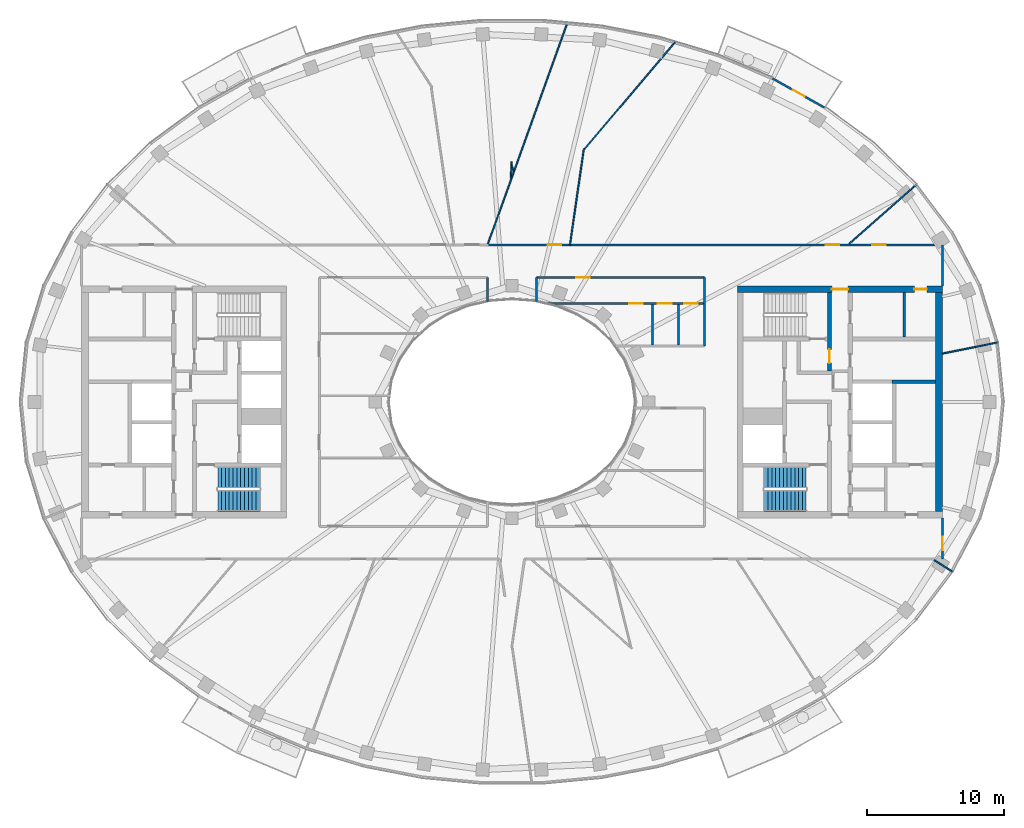
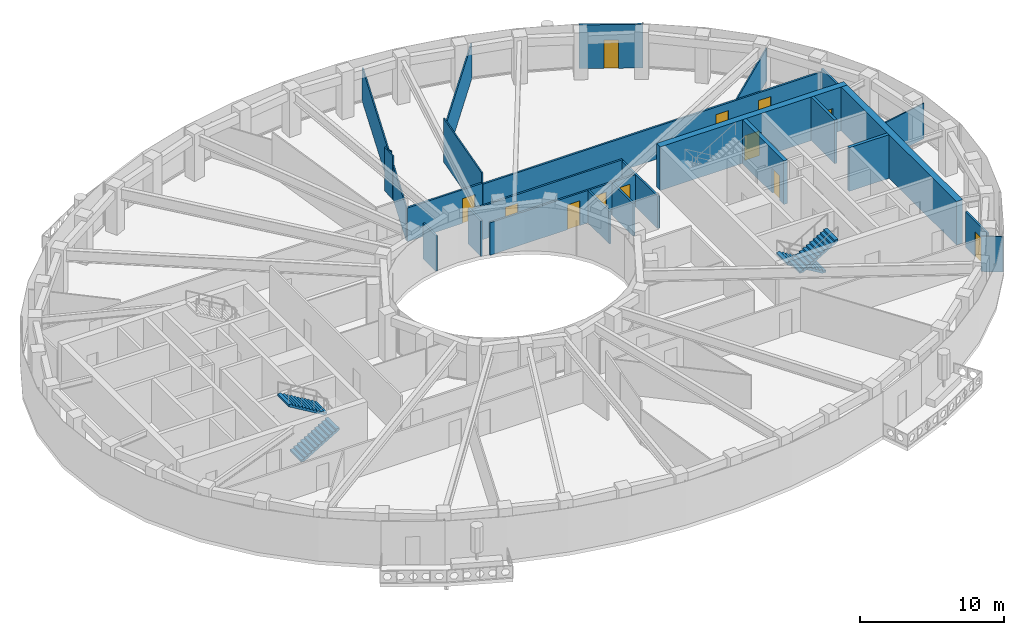
# One storey, part 6 of 15: 25 walls, 12 doors, 4 stair flights, 12 openings, 2 elements without a shape of their own.
"""IFC4 building model written with IfcOpenShell, lengths in metres."""

from ifc_helpers import new_model, si_unit, direction, frame, frame_2d, origin, place, context, subcontext, project, spatial, polyline, rectangle, outline, extrude, material, layer, layer_set, type_object, element, fill, aggregate, save


model = new_model("IFC4")

# Units and contexts
model_context = context("Model", 3, precision=1e-05, world=origin(), true_north=direction((0.0, 1.0)))
body_context = subcontext(model_context, "Body", "Model", "MODEL_VIEW")
ifc_project = project(units=[si_unit("LENGTHUNIT", "METRE"), si_unit("AREAUNIT", "SQUARE_METRE"), si_unit("VOLUMEUNIT", "CUBIC_METRE"), si_unit("PLANEANGLEUNIT", "RADIAN"), si_unit("MASSUNIT", "GRAM", prefix="KILO")], contexts=[model_context])

# Site, building, storey
site_placement = place(None, origin())
site = spatial("IfcSite", under=ifc_project, at=site_placement, CompositionType="ELEMENT")
building_placement = place(site_placement, origin())
building = spatial("IfcBuilding", under=site, at=building_placement, Name="Noorbagh Ring Tower", CompositionType="ELEMENT")
storey_placement = place(building_placement, frame((0.0, 0.0, 295.0)))
storey = spatial("IfcBuildingStorey", under=building, at=storey_placement, Name="L63", CompositionType="ELEMENT", Elevation=295.0)

# Walls
ifc_material_1 = material(Name="Gypsum board on steel studs", Category="steel")
ifc_layer_1 = layer(ifc_material_1, 0.199951171875)
ifc_layer_set_1 = layer_set([ifc_layer_1], Name="Gypsum board on steel studs")
wall_type_1 = type_object("IfcWallType", Name="CORE-PARTITION-200", PredefinedType="PARTITIONING", material=ifc_layer_set_1)
wall_1_placement = place(storey_placement, frame((28.699951171875, 4.75, 0.0), z_axis=(0.0, 0.0, 1.0), x_axis=(0.0, 1.0, 0.0)))
element("IfcWall", 1, at=wall_1_placement, inside=storey, type_object=wall_type_1, Name="Core partition E", PredefinedType="PARTITIONING", context=body_context, shape_type="SweptSolid", body=[
    extrude(rectangle(XDim=3.25, YDim=0.199951171875, at=frame_2d((1.625, 0.0))), origin(), (0.0, 0.0, 1.0), 3.699951171875),
])
ifc_material_2 = material(Name="Concrete C50/60", Category="concrete")
ifc_layer_2 = layer(ifc_material_2, 0.25)
ifc_layer_set_2 = layer_set([ifc_layer_2], Name="Concrete C50/60")
wall_type_2 = type_object("IfcWallType", Name="CORE-WALL-250-C50-60-EI120", PredefinedType="SHEAR", material=ifc_layer_set_2)
wall_2_placement = place(storey_placement, frame((27.800048828125, 1.47509765625, 0.0), z_axis=(0.0, 0.0, 1.0), x_axis=(1.0, 0.0, 0.0)))
element("IfcWall", 2, at=wall_2_placement, inside=storey, type_object=wall_type_2, Name="Core wall E", PredefinedType="SHEAR", context=body_context, shape_type="SweptSolid", body=[
    extrude(rectangle(XDim=3.199951171875, YDim=0.25, at=frame_2d((1.60009765625, 0.0))), origin(), (0.0, 0.0, 1.0), 3.699951171875),
])

# Wall, opening, door
ifc_material_3 = material(Name="Concrete C50/60", Category="concrete")
ifc_layer_3 = layer(ifc_material_3, 0.300048828125)
ifc_layer_set_3 = layer_set([ifc_layer_3], Name="Concrete C50/60")
wall_type_3 = type_object("IfcWallType", Name="CORE-WALL-300-C50-60-EI240", PredefinedType="SHEAR", material=ifc_layer_set_3)
wall_3_placement = place(storey_placement, frame((23.22998046875, 2.25, 0.0), z_axis=(0.0, 0.0, 1.0), x_axis=(0.0, 1.0, 0.0)))
wall_3 = element("IfcWall", 3, at=wall_3_placement, inside=storey, type_object=wall_type_3, Name="Core wall E", PredefinedType="SHEAR", context=body_context, shape_type="SweptSolid", body=[
    extrude(rectangle(XDim=5.75, YDim=0.300048828125, at=frame_2d((2.875, 0.0))), origin(), (0.0, 0.0, 1.0), 3.699951171875),
])
opening_1_placement = place(wall_3_placement, frame((0.60009765625, 0.0, 0.0)))
opening_1 = element("IfcOpeningElement", 4, at=opening_1_placement, cuts=wall_3, Name="Opening L63-CE07", PredefinedType="OPENING", context=body_context, shape_type="SweptSolid", body=[
    extrude(rectangle(XDim=1.0, YDim=2.10009765625, at=frame_2d((0.5, 1.050048828125))), frame((0.0, 0.16015625, 0.0), z_axis=(0.0, -1.0, 0.0), x_axis=(1.0, 0.0, 0.0)), (0.0, 0.0, 1.0), 0.320068359375),
])
ifc_material_4 = material(Name="Steel door leaf", Category="steel")
door_type_1 = type_object("IfcDoorType", Name="CORE-DOOR-DVEST", OperationType="SINGLE_SWING_LEFT", PredefinedType="DOOR", material=ifc_material_4)
door_1_placement = place(opening_1_placement, origin())
door_1 = element("IfcDoor", 5, at=door_1_placement, inside=storey, type_object=door_type_1, Name="Stair vestibule door L63-CE07", OperationType="SINGLE_SWING_RIGHT", OverallHeight=2.10009765625, OverallWidth=1.0, PredefinedType="DOOR", context=body_context, shape_type="SweptSolid", body=[
    extrude(rectangle(XDim=1.0, YDim=2.10009765625, at=frame_2d((0.5, 1.050048828125))), frame((0.0, 0.02490234375, 0.0), z_axis=(0.0, -1.0, 0.0), x_axis=(1.0, 0.0, 0.0)), (0.0, 0.0, 1.0), 0.050048828125),
])
fill(opening_1, door_1)

# Wall, openings, doors
ifc_material_5 = material(Name="Concrete C50/60", Category="concrete")
ifc_layer_4 = layer(ifc_material_5, 0.5)
ifc_layer_set_4 = layer_set([ifc_layer_4], Name="Concrete C50/60")
wall_type_4 = type_object("IfcWallType", Name="CORE-WALL-500-C50-60-EI240", PredefinedType="SHEAR", material=ifc_layer_set_4)
wall_4_placement = place(storey_placement, frame((16.5, 8.25, 0.0), z_axis=(0.0, 0.0, 1.0), x_axis=(1.0, 0.0, 0.0)))
wall_4 = element("IfcWall", 6, at=wall_4_placement, inside=storey, type_object=wall_type_4, Name="Core wall E", PredefinedType="SHEAR", context=body_context, shape_type="SweptSolid", body=[
    extrude(rectangle(XDim=15.0, YDim=0.5, at=frame_2d((7.5, 0.0))), origin(), (0.0, 0.0, 1.0), 3.699951171875),
])
opening_2_placement = place(wall_4_placement, frame((6.89990234375, 0.0, 0.0)))
opening_2 = element("IfcOpeningElement", 7, at=opening_2_placement, cuts=wall_4, Name="Opening L63-CE08", PredefinedType="OPENING", context=body_context, shape_type="SweptSolid", body=[
    extrude(rectangle(XDim=1.199951171875, YDim=2.10009765625, at=frame_2d((0.60009765625, 1.050048828125))), frame((0.0, 0.260009765625, 0.0), z_axis=(0.0, -1.0, 0.0), x_axis=(1.0, 0.0, 0.0)), (0.0, 0.0, 1.0), 0.52001953125),
])
opening_3_placement = place(wall_4_placement, frame((12.949951171875, 0.0, 0.0)))
opening_3 = element("IfcOpeningElement", 8, at=opening_3_placement, cuts=wall_4, Name="Opening L63-CE13", PredefinedType="OPENING", context=body_context, shape_type="SweptSolid", body=[
    extrude(rectangle(XDim=0.89990234375, YDim=2.10009765625, at=frame_2d((0.449951171875, 1.050048828125))), frame((0.0, 0.260009765625, 0.0), z_axis=(0.0, -1.0, 0.0), x_axis=(1.0, 0.0, 0.0)), (0.0, 0.0, 1.0), 0.52001953125),
])
ifc_material_6 = material(Name="Steel door leaf", Category="steel")
door_type_2 = type_object("IfcDoorType", Name="CORE-DOOR-DROOM", OperationType="SINGLE_SWING_LEFT", PredefinedType="DOOR", material=ifc_material_6)
door_2_placement = place(opening_3_placement, origin())
door_2 = element("IfcDoor", 9, at=door_2_placement, inside=storey, type_object=door_type_2, Name="Core room door L63-CE13", OperationType="SINGLE_SWING_LEFT", OverallHeight=2.10009765625, OverallWidth=0.89990234375, PredefinedType="DOOR", context=body_context, shape_type="SweptSolid", body=[
    extrude(rectangle(XDim=0.89990234375, YDim=2.10009765625, at=frame_2d((0.449951171875, 1.050048828125))), frame((0.0, 0.02490234375, 0.0), z_axis=(0.0, -1.0, 0.0), x_axis=(1.0, 0.0, 0.0)), (0.0, 0.0, 1.0), 0.050048828125),
])
fill(opening_3, door_2)
ifc_material_7 = material(Name="Steel door leaf", Category="steel")
door_type_3 = type_object("IfcDoorType", Name="CORE-DOOR-PORT", OperationType="DOUBLE_DOOR_DOUBLE_SWING", PredefinedType="DOOR", material=ifc_material_7)
door_3_placement = place(opening_2_placement, origin())
door_3 = element("IfcDoor", 10, at=door_3_placement, inside=storey, type_object=door_type_3, Name="Core entrance door L63-CE08", OperationType="DOUBLE_DOOR_DOUBLE_SWING", OverallHeight=2.10009765625, OverallWidth=1.199951171875, PredefinedType="DOOR", context=body_context, shape_type="SweptSolid", body=[
    extrude(rectangle(XDim=1.199951171875, YDim=2.10009765625, at=frame_2d((0.60009765625, 1.050048828125))), frame((0.0, 0.02490234375, 0.0), z_axis=(0.0, -1.0, 0.0), x_axis=(1.0, 0.0, 0.0)), (0.0, 0.0, 1.0), 0.050048828125),
])
fill(opening_2, door_3)

# Walls
wall_5_placement = place(storey_placement, frame((31.25, -8.0, 0.0), z_axis=(0.0, 0.0, 1.0), x_axis=(0.0, 1.0, 0.0)))
element("IfcWall", 11, at=wall_5_placement, inside=storey, type_object=wall_type_4, Name="Core wall E", PredefinedType="SHEAR", context=body_context, shape_type="SweptSolid", body=[
    extrude(rectangle(XDim=16.0, YDim=0.5, at=frame_2d((8.0, 0.0))), origin(), (0.0, 0.0, 1.0), 3.699951171875),
])
ifc_material_8 = material(Name="Gypsum board on steel studs", Category="steel")
ifc_layer_5 = layer(ifc_material_8, 0.14990234375)
ifc_layer_set_5 = layer_set([ifc_layer_5], Name="Gypsum board on steel studs")
wall_type_5 = type_object("IfcWallType", Name="CORRIDOR PARTITION 150 EI 30", PredefinedType="PARTITIONING", material=ifc_layer_set_5)
wall_6_placement = place(storey_placement, frame((-1.800048828125, 7.3359375, 0.0), z_axis=(0.0, 0.0, 1.0), x_axis=(0.0, 1.0, 0.0)))
element("IfcWall", 12, at=wall_6_placement, inside=storey, type_object=wall_type_5, Name="L63/wall/P20", PredefinedType="PARTITIONING", context=body_context, shape_type="SweptSolid", body=[
    extrude(rectangle(XDim=1.76416015625, YDim=0.14990234375, at=frame_2d((0.882080078125, 0.0))), origin(), (0.0, 0.0, 1.0), 3.0),
])

# Wall, opening, door
wall_7_placement = place(storey_placement, frame((-1.77392578125, 11.5, 0.0), z_axis=(0.0, 0.0, 1.0), x_axis=(1.0, 0.0, 0.0)))
wall_7 = element("IfcWall", 13, at=wall_7_placement, inside=storey, type_object=wall_type_5, Name="L63/wall/P22", PredefinedType="PARTITIONING", context=body_context, shape_type="SweptSolid", body=[
    extrude(rectangle(XDim=6.015869140625, YDim=0.14990234375, at=frame_2d((3.0078125, 0.0))), origin(), (0.0, 0.0, 1.0), 2.85009765625),
])
opening_4_placement = place(wall_7_placement, frame((4.385986328125, 0.0, 0.0)))
opening_4 = element("IfcOpeningElement", 14, at=opening_4_placement, cuts=wall_7, Name="Opening D1", PredefinedType="OPENING", context=body_context, shape_type="SweptSolid", body=[
    extrude(rectangle(XDim=1.0, YDim=2.10009765625, at=frame_2d((0.5, 1.050048828125))), frame((0.0, 0.0849609375, 0.0), z_axis=(0.0, -1.0, 0.0), x_axis=(1.0, 0.0, 0.0)), (0.0, 0.0, 1.0), 0.169921875),
])
ifc_material_9 = material(Name="Timber, painted", Category="wood")
door_type_4 = type_object("IfcDoorType", Name="DOOR 1000 X 2100 FD30", OperationType="SINGLE_SWING_LEFT", PredefinedType="DOOR", material=ifc_material_9)
door_4_placement = place(opening_4_placement, origin())
door_4 = element("IfcDoor", 15, at=door_4_placement, inside=storey, type_object=door_type_4, Name="L63-D11", OperationType="SINGLE_SWING_LEFT", OverallHeight=2.10009765625, OverallWidth=1.0, PredefinedType="DOOR", context=body_context, shape_type="SweptSolid", body=[
    extrude(rectangle(XDim=1.0, YDim=2.10009765625, at=frame_2d((0.5, 1.050048828125))), frame((0.0, 0.02490234375, 0.0), z_axis=(0.0, -1.0, 0.0), x_axis=(1.0, 0.0, 0.0)), (0.0, 0.0, 1.0), 0.050048828125),
])
fill(opening_4, door_4)

# Wall
wall_8_placement = place(storey_placement, frame((1.800048828125, 7.3359375, 0.0), z_axis=(0.0, 0.0, 1.0), x_axis=(0.0, 1.0, 0.0)))
element("IfcWall", 16, at=wall_8_placement, inside=storey, type_object=wall_type_5, Name="L63/wall/P33", PredefinedType="PARTITIONING", context=body_context, shape_type="SweptSolid", body=[
    extrude(rectangle(XDim=1.76416015625, YDim=0.14990234375, at=frame_2d((0.882080078125, 0.0))), origin(), (0.0, 0.0, 1.0), 3.0),
])

# Wall, opening, door
wall_9_placement = place(storey_placement, frame((1.800048828125, 9.10009765625, 0.0), z_axis=(0.0, 0.0, 1.0), x_axis=(1.0, 0.0, 0.0)))
wall_9 = element("IfcWall", 17, at=wall_9_placement, inside=storey, type_object=wall_type_5, Name="L63/wall/P34", PredefinedType="PARTITIONING", context=body_context, shape_type="SweptSolid", body=[
    extrude(rectangle(XDim=12.300048828125, YDim=0.14990234375, at=frame_2d((6.14990234375, 0.0))), origin(), (0.0, 0.0, 1.0), 2.85009765625),
])
opening_5_placement = place(wall_9_placement, frame((2.89990234375, 0.0, 0.0)))
opening_5 = element("IfcOpeningElement", 18, at=opening_5_placement, cuts=wall_9, Name="Opening D1", PredefinedType="OPENING", context=body_context, shape_type="SweptSolid", body=[
    extrude(rectangle(XDim=1.0, YDim=2.10009765625, at=frame_2d((0.5, 1.050048828125))), frame((0.0, 0.0849609375, 0.0), z_axis=(0.0, -1.0, 0.0), x_axis=(1.0, 0.0, 0.0)), (0.0, 0.0, 1.0), 0.169921875),
])
door_5_placement = place(opening_5_placement, origin())
door_5 = element("IfcDoor", 19, at=door_5_placement, inside=storey, type_object=door_type_4, Name="L63-D01", OperationType="SINGLE_SWING_LEFT", OverallHeight=2.10009765625, OverallWidth=1.0, PredefinedType="DOOR", context=body_context, shape_type="SweptSolid", body=[
    extrude(rectangle(XDim=1.0, YDim=2.10009765625, at=frame_2d((0.5, 1.050048828125))), frame((0.0, 0.02490234375, 0.0), z_axis=(0.0, -1.0, 0.0), x_axis=(1.0, 0.0, 0.0)), (0.0, 0.0, 1.0), 0.050048828125),
])
fill(opening_5, door_5)

# Wall, openings, doors
wall_10_placement = place(storey_placement, frame((2.364013671875, 7.199951171875, 0.0), z_axis=(0.0, 0.0, 1.0), x_axis=(1.0, 0.0, 0.0)))
wall_10 = element("IfcWall", 20, at=wall_10_placement, inside=storey, type_object=wall_type_5, Name="L63/wall/P35", PredefinedType="PARTITIONING", context=body_context, shape_type="SweptSolid", body=[
    extrude(rectangle(XDim=11.660888671875, YDim=0.14990234375, at=frame_2d((5.83056640625, 0.0))), origin(), (0.0, 0.0, 1.0), 2.75),
])
opening_6_placement = place(wall_10_placement, frame((6.2041015625, 0.0, 0.0)))
opening_6 = element("IfcOpeningElement", 21, at=opening_6_placement, cuts=wall_10, Name="Opening D3", PredefinedType="OPENING", context=body_context, shape_type="SweptSolid", body=[
    extrude(rectangle(XDim=1.0, YDim=2.10009765625, at=frame_2d((0.5, 1.050048828125))), frame((0.0, 0.0849609375, 0.0), z_axis=(0.0, -1.0, 0.0), x_axis=(1.0, 0.0, 0.0)), (0.0, 0.0, 1.0), 0.169921875),
])
opening_7_placement = place(wall_10_placement, frame((8.30810546875, 0.0, 0.0)))
opening_7 = element("IfcOpeningElement", 22, at=opening_7_placement, cuts=wall_10, Name="Opening D3", PredefinedType="OPENING", context=body_context, shape_type="SweptSolid", body=[
    extrude(rectangle(XDim=1.0, YDim=2.10009765625, at=frame_2d((0.5, 1.050048828125))), frame((0.0, 0.0849609375, 0.0), z_axis=(0.0, -1.0, 0.0), x_axis=(1.0, 0.0, 0.0)), (0.0, 0.0, 1.0), 0.169921875),
])
opening_8_placement = place(wall_10_placement, frame((10.221923828125, 0.0, 0.0)))
opening_8 = element("IfcOpeningElement", 23, at=opening_8_placement, cuts=wall_10, Name="Opening D3", PredefinedType="OPENING", context=body_context, shape_type="SweptSolid", body=[
    extrude(rectangle(XDim=1.0, YDim=2.10009765625, at=frame_2d((0.5, 1.050048828125))), frame((0.0, 0.0849609375, 0.0), z_axis=(0.0, -1.0, 0.0), x_axis=(1.0, 0.0, 0.0)), (0.0, 0.0, 1.0), 0.169921875),
])
ifc_material_10 = material(Name="Timber, painted", Category="wood")
door_type_5 = type_object("IfcDoorType", Name="DOOR 1000 X 2100 WC", OperationType="SINGLE_SWING_LEFT", PredefinedType="DOOR", material=ifc_material_10)
door_6_placement = place(opening_6_placement, origin())
door_6 = element("IfcDoor", 24, at=door_6_placement, inside=storey, type_object=door_type_5, Name="L63-D02", OperationType="SINGLE_SWING_RIGHT", OverallHeight=2.10009765625, OverallWidth=1.0, PredefinedType="DOOR", context=body_context, shape_type="SweptSolid", body=[
    extrude(rectangle(XDim=1.0, YDim=2.10009765625, at=frame_2d((0.5, 1.050048828125))), frame((0.0, 0.02490234375, 0.0), z_axis=(0.0, -1.0, 0.0), x_axis=(1.0, 0.0, 0.0)), (0.0, 0.0, 1.0), 0.050048828125),
])
fill(opening_6, door_6)
door_7_placement = place(opening_7_placement, origin())
door_7 = element("IfcDoor", 25, at=door_7_placement, inside=storey, type_object=door_type_5, Name="L63-D03", OperationType="SINGLE_SWING_LEFT", OverallHeight=2.10009765625, OverallWidth=1.0, PredefinedType="DOOR", context=body_context, shape_type="SweptSolid", body=[
    extrude(rectangle(XDim=1.0, YDim=2.10009765625, at=frame_2d((0.5, 1.050048828125))), frame((0.0, 0.02490234375, 0.0), z_axis=(0.0, -1.0, 0.0), x_axis=(1.0, 0.0, 0.0)), (0.0, 0.0, 1.0), 0.050048828125),
])
fill(opening_7, door_7)
door_8_placement = place(opening_8_placement, origin())
door_8 = element("IfcDoor", 26, at=door_8_placement, inside=storey, type_object=door_type_5, Name="L63-D04", OperationType="SINGLE_SWING_RIGHT", OverallHeight=2.10009765625, OverallWidth=1.0, PredefinedType="DOOR", context=body_context, shape_type="SweptSolid", body=[
    extrude(rectangle(XDim=1.0, YDim=2.10009765625, at=frame_2d((0.5, 1.050048828125))), frame((0.0, 0.02490234375, 0.0), z_axis=(0.0, -1.0, 0.0), x_axis=(1.0, 0.0, 0.0)), (0.0, 0.0, 1.0), 0.050048828125),
])
fill(opening_8, door_8)

wall_11_placement = place(storey_placement, frame((4.261962890625, 11.5, 0.0), z_axis=(0.0, 0.0, 1.0), x_axis=(1.0, 0.0, 0.0)))
wall_11 = element("IfcWall", 27, at=wall_11_placement, inside=storey, type_object=wall_type_5, Name="L63/wall/P37", PredefinedType="PARTITIONING", context=body_context, shape_type="SweptSolid", body=[
    extrude(rectangle(XDim=27.238037109375, YDim=0.14990234375, at=frame_2d((13.619140625, 0.0))), origin(), (0.0, 0.0, 1.0), 2.75),
])
opening_9_placement = place(wall_11_placement, frame((18.694091796875, 0.0, 0.0)))
opening_9 = element("IfcOpeningElement", 28, at=opening_9_placement, cuts=wall_11, Name="Opening D1", PredefinedType="OPENING", context=body_context, shape_type="SweptSolid", body=[
    extrude(rectangle(XDim=1.0, YDim=2.10009765625, at=frame_2d((0.5, 1.050048828125))), frame((0.0, 0.0849609375, 0.0), z_axis=(0.0, -1.0, 0.0), x_axis=(1.0, 0.0, 0.0)), (0.0, 0.0, 1.0), 0.169921875),
])
opening_10_placement = place(wall_11_placement, frame((22.087890625, 0.0, 0.0)))
opening_10 = element("IfcOpeningElement", 29, at=opening_10_placement, cuts=wall_11, Name="Opening D1", PredefinedType="OPENING", context=body_context, shape_type="SweptSolid", body=[
    extrude(rectangle(XDim=1.0, YDim=2.10009765625, at=frame_2d((0.5, 1.050048828125))), frame((0.0, 0.0849609375, 0.0), z_axis=(0.0, -1.0, 0.0), x_axis=(1.0, 0.0, 0.0)), (0.0, 0.0, 1.0), 0.169921875),
])
door_9_placement = place(opening_9_placement, origin())
door_9 = element("IfcDoor", 30, at=door_9_placement, inside=storey, type_object=door_type_4, Name="L63-D13", OperationType="SINGLE_SWING_LEFT", OverallHeight=2.10009765625, OverallWidth=1.0, PredefinedType="DOOR", context=body_context, shape_type="SweptSolid", body=[
    extrude(rectangle(XDim=1.0, YDim=2.10009765625, at=frame_2d((0.5, 1.050048828125))), frame((0.0, 0.02490234375, 0.0), z_axis=(0.0, -1.0, 0.0), x_axis=(1.0, 0.0, 0.0)), (0.0, 0.0, 1.0), 0.050048828125),
])
fill(opening_9, door_9)
door_10_placement = place(opening_10_placement, origin())
door_10 = element("IfcDoor", 31, at=door_10_placement, inside=storey, type_object=door_type_4, Name="L63-D16", OperationType="SINGLE_SWING_RIGHT", OverallHeight=2.10009765625, OverallWidth=1.0, PredefinedType="DOOR", context=body_context, shape_type="SweptSolid", body=[
    extrude(rectangle(XDim=1.0, YDim=2.10009765625, at=frame_2d((0.5, 1.050048828125))), frame((0.0, 0.02490234375, 0.0), z_axis=(0.0, -1.0, 0.0), x_axis=(1.0, 0.0, 0.0)), (0.0, 0.0, 1.0), 0.050048828125),
])
fill(opening_10, door_10)

# Walls
for number, where, z_axis, x_axis, name in (
    (32, (10.27197265625, 4.169921875, 0.0), (0.0, 0.0, 1.0), (0.0, 1.0, 0.0), "L63/wall/P44"),
    (33, (12.18603515625, 4.169921875, 0.0), (0.0, 0.0, 1.0), (0.0, 1.0, 0.0), "L63/wall/P45"),
):
    element("IfcWall", number, at=place(storey_placement, frame(where, z_axis=z_axis, x_axis=x_axis)), inside=storey, type_object=wall_type_5, Name=name, PredefinedType="PARTITIONING", context=body_context, shape_type="SweptSolid", body=[
        extrude(rectangle(XDim=2.955078125, YDim=0.14990234375, at=frame_2d((1.4775390625, 0.0))), origin(), (0.0, 0.0, 1.0), 2.75),
    ])
wall_12_placement = place(storey_placement, frame((14.10009765625, 4.094970703125, 0.0), z_axis=(0.0, 0.0, 1.0), x_axis=(0.0, 1.0, 0.0)))
element("IfcWall", 34, at=wall_12_placement, inside=storey, type_object=wall_type_5, Name="L63/wall/P47", PredefinedType="PARTITIONING", context=body_context, shape_type="SweptSolid", body=[
    extrude(rectangle(XDim=5.005126953125, YDim=0.14990234375, at=frame_2d((2.50244140625, 0.0))), origin(), (0.0, 0.0, 1.0), 2.75),
])

# Wall, opening, door
wall_13_placement = place(storey_placement, frame((31.5, -11.5, 0.0), z_axis=(0.0, 0.0, 1.0), x_axis=(0.0, 1.0, 0.0)))
wall_13 = element("IfcWall", 35, at=wall_13_placement, inside=storey, type_object=wall_type_5, Name="L63/wall/P51", PredefinedType="PARTITIONING", context=body_context, shape_type="SweptSolid", body=[
    extrude(rectangle(XDim=3.0, YDim=0.14990234375, at=frame_2d((1.5, 0.0))), origin(), (0.0, 0.0, 1.0), 3.0),
])
opening_11_placement = place(wall_13_placement, frame((0.64990234375, 0.0, 0.0)))
opening_11 = element("IfcOpeningElement", 36, at=opening_11_placement, cuts=wall_13, Name="Opening D1", PredefinedType="OPENING", context=body_context, shape_type="SweptSolid", body=[
    extrude(rectangle(XDim=1.0, YDim=2.10009765625, at=frame_2d((0.5, 1.050048828125))), frame((0.0, 0.0849609375, 0.0), z_axis=(0.0, -1.0, 0.0), x_axis=(1.0, 0.0, 0.0)), (0.0, 0.0, 1.0), 0.169921875),
])
door_11_placement = place(opening_11_placement, origin())
door_11 = element("IfcDoor", 37, at=door_11_placement, inside=storey, type_object=door_type_4, Name="L63-D17", OperationType="SINGLE_SWING_LEFT", OverallHeight=2.10009765625, OverallWidth=1.0, PredefinedType="DOOR", context=body_context, shape_type="SweptSolid", body=[
    extrude(rectangle(XDim=1.0, YDim=2.10009765625, at=frame_2d((0.5, 1.050048828125))), frame((0.0, 0.02490234375, 0.0), z_axis=(0.0, -1.0, 0.0), x_axis=(1.0, 0.0, 0.0)), (0.0, 0.0, 1.0), 0.050048828125),
])
fill(opening_11, door_11)

# Wall
wall_14_placement = place(storey_placement, frame((31.5, 8.5, 0.0), z_axis=(0.0, 0.0, 1.0), x_axis=(0.0, 1.0, 0.0)))
element("IfcWall", 38, at=wall_14_placement, inside=storey, type_object=wall_type_5, Name="L63/wall/P53", PredefinedType="PARTITIONING", context=body_context, shape_type="SweptSolid", body=[
    extrude(rectangle(XDim=3.0, YDim=0.14990234375, at=frame_2d((1.5, 0.0))), origin(), (0.0, 0.0, 1.0), 3.0),
])

# Wall, opening, door
ifc_material_11 = material(Name="Insulated aluminium clad panel", Category="aluminium")
ifc_layer_6 = layer(ifc_material_11, 0.14990234375)
ifc_layer_set_6 = layer_set([ifc_layer_6], Name="Insulated aluminium clad panel")
wall_type_6 = type_object("IfcWallType", Name="ENV-WALL-DOOR", PredefinedType="STANDARD", material=ifc_layer_set_6)
wall_15_placement = place(storey_placement, frame((22.913330078125, 21.508544921875, 0.0), z_axis=(0.0, 0.0, 1.0), x_axis=(-0.872046572975, 0.489422899509, 0.0)))
wall_15 = element("IfcWall", 39, at=wall_15_placement, inside=storey, type_object=wall_type_6, Name="Balcony door wall chord 07", PredefinedType="STANDARD", context=body_context, shape_type="SweptSolid", body=[
    extrude(rectangle(XDim=4.425537109375, YDim=0.14990234375, at=frame_2d((2.212890625, 0.0))), origin(), (0.0, 0.0, 1.0), 3.699951171875),
])
opening_12_placement = place(wall_15_placement, frame((1.712646484375, 0.0, 0.0)))
opening_12 = element("IfcOpeningElement", 40, at=opening_12_placement, cuts=wall_15, Name="Opening D-BL", PredefinedType="OPENING", context=body_context, shape_type="SweptSolid", body=[
    extrude(rectangle(XDim=1.0, YDim=2.39990234375, at=frame_2d((0.5, 1.199951171875))), frame((0.0, 0.0849609375, 0.0), z_axis=(0.0, -1.0, 0.0), x_axis=(1.0, 0.0, 0.0)), (0.0, 0.0, 1.0), 0.169921875),
])
ifc_material_12 = material(Name="Aluminium and glass", Category="aluminium")
door_type_6 = type_object("IfcDoorType", Name="ENV-DOOR-BALCONY", OperationType="SINGLE_SWING_LEFT", PredefinedType="DOOR", material=ifc_material_12)
door_12_placement = place(opening_12_placement, origin())
door_12 = element("IfcDoor", 41, at=door_12_placement, inside=storey, type_object=door_type_6, Name="Balcony door chord 07", OperationType="SINGLE_SWING_RIGHT", OverallHeight=2.39990234375, OverallWidth=1.0, PredefinedType="DOOR", context=body_context, shape_type="SweptSolid", body=[
    extrude(rectangle(XDim=1.0, YDim=2.39990234375, at=frame_2d((0.5, 1.199951171875))), frame((0.0, 0.02490234375, 0.0), z_axis=(0.0, -1.0, 0.0), x_axis=(1.0, 0.0, 0.0)), (0.0, 0.0, 1.0), 0.050048828125),
])
fill(opening_12, door_12)

# Walls
ifc_material_13 = material(Name="Gypsum board on steel studs", Category="steel")
ifc_layer_7 = layer(ifc_material_13, 0.10009765625)
ifc_layer_set_7 = layer_set([ifc_layer_7], Name="Gypsum board on steel studs")
wall_type_7 = type_object("IfcWallType", Name="PARTITION 100 GYPSUM", PredefinedType="PARTITIONING", material=ifc_layer_set_7)
wall_16_placement = place(storey_placement, frame((-1.758056640625, 11.5791015625, 0.0), z_axis=(0.0, 0.0, 1.0), x_axis=(0.338425059236, 0.940993347097, 0.0)))
element("IfcWall", 42, at=wall_16_placement, inside=storey, type_object=wall_type_7, Name="L63/wall/P21", PredefinedType="PARTITIONING", context=body_context, shape_type="SweptSolid", body=[
    extrude(rectangle(XDim=17.14990234375, YDim=0.10009765625, at=frame_2d((8.574951171875, 0.0))), origin(), (0.0, 0.0, 1.0), 2.85009765625),
])
wall_17_placement = place(storey_placement, frame((-0.083984375, 16.35595703125, 0.0), z_axis=(0.0, 0.0, 1.0), x_axis=(0.047967320325, 0.998848905581, 0.0)))
element("IfcWall", 43, at=wall_17_placement, inside=storey, type_object=wall_type_7, Name="L63/wall/P24", PredefinedType="PARTITIONING", context=body_context, shape_type="SweptSolid", body=[
    extrude(rectangle(XDim=1.21142578125, YDim=0.10009765625, at=frame_2d((0.605712890625, 0.0))), origin(), (0.0, 0.0, 1.0), 3.699951171875),
])
wall_18_placement = place(storey_placement, frame((0.001953125, 17.283935546875, 0.0), z_axis=(0.0, 0.0, 1.0), x_axis=(0.240121592304, -0.970742819139, 0.0)))
element("IfcWall", 44, at=wall_18_placement, inside=storey, type_object=wall_type_7, Name="L63/wall/P25", PredefinedType="PARTITIONING", context=body_context, shape_type="SweptSolid", body=[
    extrude(rectangle(XDim=0.404541015625, YDim=0.10009765625, at=frame_2d((0.2021484375, 0.0))), origin(), (0.0, 0.0, 1.0), 3.699951171875),
])
wall_19_placement = place(storey_placement, frame((4.241943359375, 11.5, 0.0), z_axis=(0.0, 0.0, 1.0), x_axis=(0.1429940435, 0.98972354904, 0.0)))
element("IfcWall", 45, at=wall_19_placement, inside=storey, type_object=wall_type_7, Name="L63/wall/P36", PredefinedType="PARTITIONING", context=body_context, shape_type="SweptSolid", body=[
    extrude(rectangle(XDim=7.10595703125, YDim=0.10009765625, at=frame_2d((3.552978515625, 0.0))), origin(), (0.0, 0.0, 1.0), 3.699951171875),
])
wall_20_placement = place(storey_placement, frame((5.305908203125, 18.511962890625, 0.0), z_axis=(0.0, 0.0, 1.0), x_axis=(0.646500054355, 0.762913939917, 0.0)))
element("IfcWall", 46, at=wall_20_placement, inside=storey, type_object=wall_type_7, Name="L63/wall/P38", PredefinedType="PARTITIONING", context=body_context, shape_type="SweptSolid", body=[
    extrude(rectangle(XDim=10.238525390625, YDim=0.10009765625, at=frame_2d((5.119140625, 0.0))), origin(), (0.0, 0.0, 1.0), 3.0),
])
wall_21_placement = place(storey_placement, frame((24.68896484375, 11.577880859375, 0.0), z_axis=(0.0, 0.0, 1.0), x_axis=(0.748988695283, 0.662582775461, 0.0)))
element("IfcWall", 47, at=wall_21_placement, inside=storey, type_object=wall_type_7, Name="L63/wall/P49", PredefinedType="PARTITIONING", context=body_context, shape_type="SweptSolid", body=[
    extrude(rectangle(XDim=6.515625, YDim=0.10009765625, at=frame_2d((3.2578125, 0.0))), origin(), (0.0, 0.0, 1.0), 2.75),
])
wall_22_placement = place(storey_placement, frame((30.89697265625, -11.574951171875, 0.0), z_axis=(0.0, 0.0, 1.0), x_axis=(0.844757626245, -0.535149094086, 0.0)))
element("IfcWall", 48, at=wall_22_placement, inside=storey, type_object=wall_type_7, Name="L63/wall/P50", PredefinedType="PARTITIONING", context=body_context, shape_type="SweptSolid", body=[
    extrude(rectangle(XDim=1.556640625, YDim=0.10009765625, at=frame_2d((0.7783203125, 0.0))), origin(), (0.0, 0.0, 1.0), 3.0),
])
wall_23_placement = place(storey_placement, frame((31.5, 3.5419921875, 0.0), z_axis=(0.0, 0.0, 1.0), x_axis=(0.980357474535, 0.197228857227, 0.0)))
element("IfcWall", 49, at=wall_23_placement, inside=storey, type_object=wall_type_7, Name="L63/wall/P52", PredefinedType="PARTITIONING", context=body_context, shape_type="SweptSolid", body=[
    extrude(rectangle(XDim=4.09228515625, YDim=0.10009765625, at=frame_2d((2.046142578125, 0.0))), origin(), (0.0, 0.0, 1.0), 3.0),
])

# Stair, stair flights
ifc_material_14 = material(Name="Concrete C40/50", Category="concrete")
stair_type = type_object("IfcStairType", Name="CORE-STAIR", PredefinedType="HALF_TURN_STAIR", material=ifc_material_14)
stair_1_placement = place(storey_placement, origin())
stair_1 = element("IfcStair", 50, at=stair_1_placement, inside=storey, type_object=stair_type, Name="L63 Exit stair ST2", PredefinedType="HALF_TURN_STAIR")
ifc_material_15 = material(Name="Concrete C40/50", Category="concrete")
stair_flight_type = type_object("IfcStairFlightType", Name="CORE-STAIR-FLIGHT", PredefinedType="STRAIGHT", material=ifc_material_15)
stair_flight_1_placement = place(storey_placement, frame((-21.530029296875, -7.22509765625, 0.0), z_axis=(0.0, 0.0, 1.0), x_axis=(1.0, 0.0, 0.0)))
stair_flight_1 = element("IfcStairFlight", 51, at=stair_flight_1_placement, type_object=stair_flight_type, Name="ST2 flight 1", NumberOfRisers=12, NumberOfTreads=11, PredefinedType="STRAIGHT", RiserHeight=0.166666667, TreadLength=0.28, context=body_context, shape_type="SweptSolid", body=[
    extrude(outline(polyline([(0.0, 0.0), (0.0, 0.166748046875), (0.280029296875, 0.166748046875), (0.280029296875, 0.333251953125), (0.56005859375, 0.333251953125), (0.56005859375, 0.5), (0.840087890625, 0.5), (0.840087890625, 0.666748046875), (1.1201171875, 0.666748046875), (1.1201171875, 0.833251953125), (1.39990234375, 0.833251953125), (1.39990234375, 1.0), (1.679931640625, 1.0), (1.679931640625, 1.166748046875), (1.9599609375, 1.166748046875), (1.9599609375, 1.333251953125), (2.239990234375, 1.333251953125), (2.239990234375, 1.5), (2.52001953125, 1.5), (2.52001953125, 1.666748046875), (2.800048828125, 1.666748046875), (2.800048828125, 1.833251953125), (3.080078125, 1.833251953125), (3.080078125, 2.0), (3.080078125, 1.658935546875), (0.29296875, 0.0), (0.0, 0.0)])), frame((0.0, 0.77490234375, 0.0), z_axis=(0.0, -1.0, 0.0), x_axis=(1.0, 0.0, 0.0)), (0.0, 0.0, 1.0), 1.550048828125),
])
stair_flight_2_placement = place(storey_placement, frame((-18.449951171875, -5.52490234375, 2.0), z_axis=(0.0, 0.0, 1.0), x_axis=(-1.0, 0.0, 0.0)))
stair_flight_2 = element("IfcStairFlight", 52, at=stair_flight_2_placement, type_object=stair_flight_type, Name="ST2 flight 2", NumberOfRisers=12, NumberOfTreads=11, PredefinedType="STRAIGHT", RiserHeight=0.166666667, TreadLength=0.28, context=body_context, shape_type="SweptSolid", body=[
    extrude(outline(polyline([(0.0, 0.0), (0.0, 0.166748046875), (0.280029296875, 0.166748046875), (0.280029296875, 0.333251953125), (0.56005859375, 0.333251953125), (0.56005859375, 0.5), (0.840087890625, 0.5), (0.840087890625, 0.666748046875), (1.1201171875, 0.666748046875), (1.1201171875, 0.833251953125), (1.39990234375, 0.833251953125), (1.39990234375, 1.0), (1.679931640625, 1.0), (1.679931640625, 1.166748046875), (1.9599609375, 1.166748046875), (1.9599609375, 1.333251953125), (2.239990234375, 1.333251953125), (2.239990234375, 1.5), (2.52001953125, 1.5), (2.52001953125, 1.666748046875), (2.800048828125, 1.666748046875), (2.800048828125, 1.833251953125), (3.080078125, 1.833251953125), (3.080078125, 2.0), (3.080078125, 1.658935546875), (0.29296875, 0.0), (0.0, 0.0)])), frame((0.0, 0.77490234375, 0.0), z_axis=(0.0, -1.0, 0.0), x_axis=(1.0, 0.0, 0.0)), (0.0, 0.0, 1.0), 1.550048828125),
])
aggregate(stair_1, [stair_flight_1, stair_flight_2])

stair_2_placement = place(storey_placement, origin())
stair_2 = element("IfcStair", 53, at=stair_2_placement, inside=storey, type_object=stair_type, Name="L63 Exit stair ST4", PredefinedType="HALF_TURN_STAIR")
stair_flight_3_placement = place(storey_placement, frame((21.530029296875, -5.52490234375, 0.0), z_axis=(0.0, 0.0, 1.0), x_axis=(-1.0, 0.0, 0.0)))
stair_flight_3 = element("IfcStairFlight", 54, at=stair_flight_3_placement, type_object=stair_flight_type, Name="ST4 flight 1", NumberOfRisers=12, NumberOfTreads=11, PredefinedType="STRAIGHT", RiserHeight=0.166666667, TreadLength=0.28, context=body_context, shape_type="SweptSolid", body=[
    extrude(outline(polyline([(0.0, 0.0), (0.0, 0.166748046875), (0.280029296875, 0.166748046875), (0.280029296875, 0.333251953125), (0.56005859375, 0.333251953125), (0.56005859375, 0.5), (0.840087890625, 0.5), (0.840087890625, 0.666748046875), (1.1201171875, 0.666748046875), (1.1201171875, 0.833251953125), (1.39990234375, 0.833251953125), (1.39990234375, 1.0), (1.679931640625, 1.0), (1.679931640625, 1.166748046875), (1.9599609375, 1.166748046875), (1.9599609375, 1.333251953125), (2.239990234375, 1.333251953125), (2.239990234375, 1.5), (2.52001953125, 1.5), (2.52001953125, 1.666748046875), (2.800048828125, 1.666748046875), (2.800048828125, 1.833251953125), (3.080078125, 1.833251953125), (3.080078125, 2.0), (3.080078125, 1.658935546875), (0.29296875, 0.0), (0.0, 0.0)])), frame((0.0, 0.77490234375, 0.0), z_axis=(0.0, -1.0, 0.0), x_axis=(1.0, 0.0, 0.0)), (0.0, 0.0, 1.0), 1.550048828125),
])
stair_flight_4_placement = place(storey_placement, frame((18.449951171875, -7.22509765625, 2.0), z_axis=(0.0, 0.0, 1.0), x_axis=(1.0, 0.0, 0.0)))
stair_flight_4 = element("IfcStairFlight", 55, at=stair_flight_4_placement, type_object=stair_flight_type, Name="ST4 flight 2", NumberOfRisers=12, NumberOfTreads=11, PredefinedType="STRAIGHT", RiserHeight=0.166666667, TreadLength=0.28, context=body_context, shape_type="SweptSolid", body=[
    extrude(outline(polyline([(0.0, 0.0), (0.0, 0.166748046875), (0.280029296875, 0.166748046875), (0.280029296875, 0.333251953125), (0.56005859375, 0.333251953125), (0.56005859375, 0.5), (0.840087890625, 0.5), (0.840087890625, 0.666748046875), (1.1201171875, 0.666748046875), (1.1201171875, 0.833251953125), (1.39990234375, 0.833251953125), (1.39990234375, 1.0), (1.679931640625, 1.0), (1.679931640625, 1.166748046875), (1.9599609375, 1.166748046875), (1.9599609375, 1.333251953125), (2.239990234375, 1.333251953125), (2.239990234375, 1.5), (2.52001953125, 1.5), (2.52001953125, 1.666748046875), (2.800048828125, 1.666748046875), (2.800048828125, 1.833251953125), (3.080078125, 1.833251953125), (3.080078125, 2.0), (3.080078125, 1.658935546875), (0.29296875, 0.0), (0.0, 0.0)])), frame((0.0, 0.77490234375, 0.0), z_axis=(0.0, -1.0, 0.0), x_axis=(1.0, 0.0, 0.0)), (0.0, 0.0, 1.0), 1.550048828125),
])
aggregate(stair_2, [stair_flight_3, stair_flight_4])

save(model, "model.ifc")
